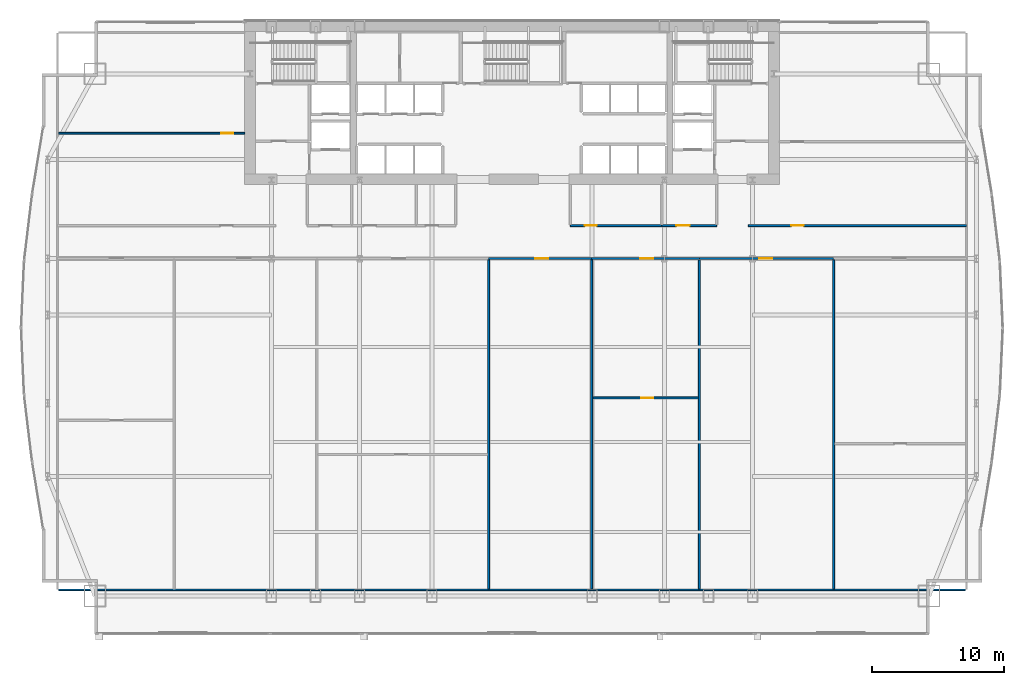
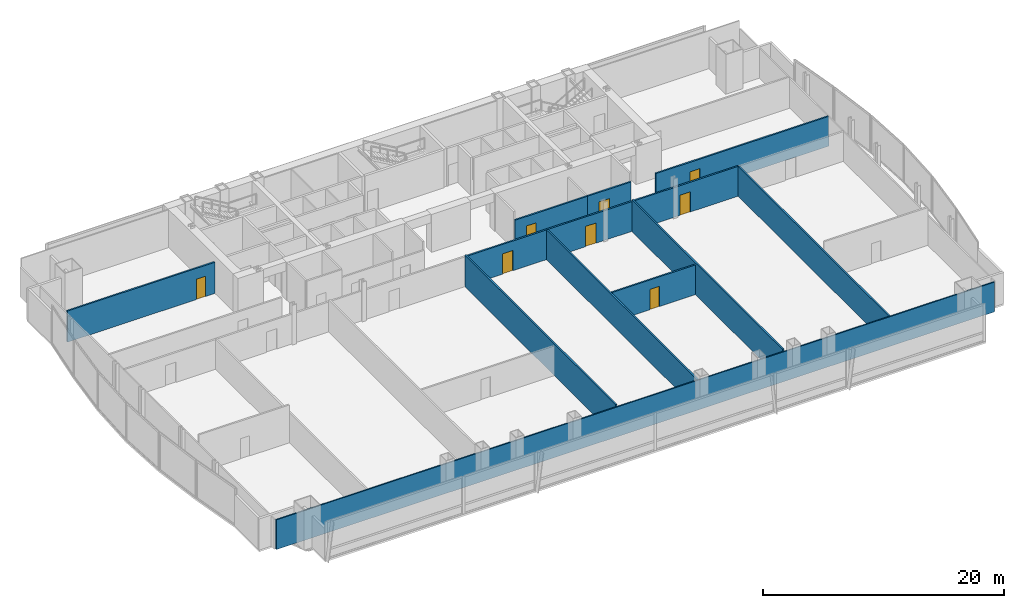
# One storey, part 27 of 32: 13 walls, 8 doors, 8 openings.
"""IFC4 building model written with IfcOpenShell, lengths in metres."""

import ifcopenshell
import ifcopenshell.guid

model = None  # the IFC model being written
_history = None  # IfcOwnerHistory: only IFC2X3 demands one
_inside = {}  # id of a spatial element -> (the spatial element, [elements in it])
_under = {}  # id of a project, library or spatial element -> (it, [spatial elements below it])
_declared = {}  # id of a project -> (the project, [libraries it declares])
_typed = {}  # id of a type object -> (the type object, [elements of that type])
_made_of = {}  # id of a material, layer set ... -> (it, [elements and type objects made of it])


def new_model(schema):
    """Start an empty IFC model of exactly this schema.

    Asked for "IFC4X3", IfcOpenShell would pick the latest addendum, in which some entities
    have other attributes; the version numbers below select the first issue.
    IFC2X3 requires an IfcOwnerHistory on every rooted entity: one is made here for all.
    """
    global model, _history
    if schema == "IFC4X3":
        model = ifcopenshell.file(schema_version=(4, 3, 0, 0))
    else:
        model = ifcopenshell.file(schema=schema)
    _inside.clear()
    _under.clear()
    _declared.clear()
    _typed.clear()
    _made_of.clear()
    _history = None
    if model.schema == "IFC2X3":
        org = make("IfcOrganization", Name="unknown")
        user = make(
            "IfcPersonAndOrganization",
            ThePerson=make("IfcPerson", FamilyName="unknown"),
            TheOrganization=org,
        )
        app = make(
            "IfcApplication",
            ApplicationDeveloper=org,
            Version="unknown",
            ApplicationFullName="unknown",
            ApplicationIdentifier="unknown",
        )
        _history = make(
            "IfcOwnerHistory",
            OwningUser=user,
            OwningApplication=app,
            ChangeAction="ADDED",
            CreationDate=0,
        )
    return model


def make(cls, **values):
    """One entity of the class cls with the attributes given. An attribute that is None is left unset."""
    return model.create_entity(
        cls, **{name: value for name, value in values.items() if value is not None}
    )


def rooted(cls, **values):
    """An entity with a GlobalId (a new one), such as an element, a storey or a relation."""
    return make(cls, GlobalId=ifcopenshell.guid.new(), OwnerHistory=_history, **values)


def si_unit(unit_type, name, prefix=None):
    """IfcSIUnit, for example si_unit("LENGTHUNIT", "METRE", prefix="MILLI")."""
    return make("IfcSIUnit", UnitType=unit_type, Prefix=prefix, Name=name)


def assignment(units):
    """IfcUnitAssignment: the units of a project."""
    return None if units is None else make("IfcUnitAssignment", Units=units)


def point(xyz):
    """IfcCartesianPoint."""
    return None if xyz is None else make("IfcCartesianPoint", Coordinates=xyz)


def direction(xyz):
    """IfcDirection."""
    return None if xyz is None else make("IfcDirection", DirectionRatios=xyz)


def frame(location, z_axis=None, x_axis=None):
    """IfcAxis2Placement3D, a coordinate frame: its origin and axes. An axis left out is left unset."""
    return make(
        "IfcAxis2Placement3D",
        Location=point(location),
        Axis=direction(z_axis),
        RefDirection=direction(x_axis),
    )


def frame_2d(location, x_axis=None):
    """IfcAxis2Placement2D, a coordinate frame in the plane: its origin and x axis."""
    return make(
        "IfcAxis2Placement2D", Location=point(location), RefDirection=direction(x_axis)
    )


def origin():
    """The frame at (0, 0, 0) with its axes left unset."""
    return frame((0.0, 0.0, 0.0))


def place(relative_to, where):
    """IfcLocalPlacement: puts the frame where relative to a parent placement (None: the world)."""
    return make(
        "IfcLocalPlacement", PlacementRelTo=relative_to, RelativePlacement=where
    )


def context(
    kind, dimensions, precision=None, world=None, true_north=None, identifier=None
):
    """IfcGeometricRepresentationContext, for example the 3D "Model" context."""
    return make(
        "IfcGeometricRepresentationContext",
        ContextIdentifier=identifier,
        ContextType=kind,
        CoordinateSpaceDimension=dimensions,
        Precision=precision,
        WorldCoordinateSystem=world,
        TrueNorth=true_north,
    )


def subcontext(parent, identifier, kind, view, scale=None):
    """IfcGeometricRepresentationSubContext, for example "Body" below "Model"."""
    return make(
        "IfcGeometricRepresentationSubContext",
        ContextIdentifier=identifier,
        ContextType=kind,
        ParentContext=parent,
        TargetScale=scale,
        TargetView=view,
    )


def project(units=None, contexts=None):
    """IfcProject with its units and contexts."""
    return rooted(
        "IfcProject",
        Name="project",
        RepresentationContexts=contexts,
        UnitsInContext=assignment(units),
    )


def spatial(cls, under=None, at=None, **own):
    """A site, building, storey or space (cls), placed at a placement, below another one or the project."""
    s = rooted(cls, ObjectPlacement=at, **own)
    if under is not None:
        _under.setdefault(under.id(), (under, []))[1].append(s)
    return s


def profile(cls, at=None, kind="AREA", **sizes):
    """A parametric profile (cls). Its sizes go by their IFC names, for example OverallWidth=200.0."""
    return make(cls, ProfileType=kind, Position=at, **sizes)


def rectangle(**sizes):
    """IfcRectangleProfileDef."""
    return profile("IfcRectangleProfileDef", **sizes)


def extrude(swept, where, along, depth):
    """IfcExtrudedAreaSolid: the profile swept, set in the frame where, extruded along a direction by depth."""
    return make(
        "IfcExtrudedAreaSolid",
        SweptArea=swept,
        Position=where,
        ExtrudedDirection=direction(along),
        Depth=depth,
    )


def shape(context_of_items, identifier, shape_type, items):
    """IfcShapeRepresentation: the items that make up one representation, for example the "Body"."""
    return make(
        "IfcShapeRepresentation",
        ContextOfItems=context_of_items,
        RepresentationIdentifier=identifier,
        RepresentationType=shape_type,
        Items=items,
    )


def material(Name=None, Category=None):
    """IfcMaterial."""
    return make("IfcMaterial", Name=Name, Category=Category)


def layer(
    of_material, thickness, ventilated=None, Name=None, Category=None, Priority=None
):
    """IfcMaterialLayer: one layer of a wall or slab, of a material (None: an air gap)."""
    return make(
        "IfcMaterialLayer",
        Material=of_material,
        LayerThickness=thickness,
        IsVentilated=ventilated,
        Name=Name,
        Category=Category,
        Priority=Priority,
    )


def layer_set(layers, Name=None):
    """IfcMaterialLayerSet."""
    return make("IfcMaterialLayerSet", MaterialLayers=layers, LayerSetName=Name)


def made_of(thing, what):
    """Note that an element or type object is made of a material, layer set ...; save() writes the relation."""
    if what is not None:
        _made_of.setdefault(what.id(), (what, []))[1].append(thing)
    return thing


def type_object(cls, material=None, **own):
    """A type object (cls), such as IfcWallType, which elements share."""
    return made_of(rooted(cls, **own), material)


def element(
    cls,
    number,
    at=None,
    inside=None,
    cuts=None,
    type_object=None,
    material=None,
    context=None,
    identifier="Body",
    shape_type=None,
    held_by="IfcProductDefinitionShape",
    body=None,
    shapes=None,
    **own,
):
    """One element of the class cls, such as IfcWall. Its Tag is "e" and its number.

    at: its placement. inside: the storey or other place that contains it. cuts: it is an
    opening in that element (IfcRelVoidsElement). A single representation is given by context,
    identifier, shape_type and body (its items); several are given by shapes. held_by: the class
    of the entity that holds the representations. save() writes the other relations.
    """
    e = rooted(cls, Tag="e%d" % number, ObjectPlacement=at, **own)
    if body is not None:
        shapes = [shape(context, identifier, shape_type, body)]
    if shapes is not None:
        e.Representation = make(held_by, Representations=shapes)
    if inside is not None:
        _inside.setdefault(inside.id(), (inside, []))[1].append(e)
    if cuts is not None:
        rooted(
            "IfcRelVoidsElement", RelatingBuildingElement=cuts, RelatedOpeningElement=e
        )
    if type_object is not None:
        _typed.setdefault(type_object.id(), (type_object, []))[1].append(e)
    return made_of(e, material)


def fill(opening, filler):
    """IfcRelFillsElement: the door or window that sits in an opening."""
    return rooted(
        "IfcRelFillsElement",
        RelatingOpeningElement=opening,
        RelatedBuildingElement=filler,
    )


def aggregate(whole, parts):
    """IfcRelAggregates: a whole, such as a stair, and the parts it consists of."""
    return rooted("IfcRelAggregates", RelatingObject=whole, RelatedObjects=parts)


def save(model, path):
    """Write the relations noted so far, then the file.

    IfcRelAggregates (storeys below a building ...), IfcRelContainedInSpatialStructure (elements
    in a storey), IfcRelDefinesByType, IfcRelAssociatesMaterial and IfcRelDeclares: one each for
    every whole, place, type object, material and project.
    """
    for whole, parts in _under.values():
        aggregate(whole, parts)
    for where, things in _inside.values():
        rooted(
            "IfcRelContainedInSpatialStructure",
            RelatedElements=things,
            RelatingStructure=where,
        )
    for kind, things in _typed.values():
        rooted("IfcRelDefinesByType", RelatedObjects=things, RelatingType=kind)
    for what, things in _made_of.values():
        rooted("IfcRelAssociatesMaterial", RelatedObjects=things, RelatingMaterial=what)
    for by, libraries in _declared.values():
        rooted("IfcRelDeclares", RelatingContext=by, RelatedDefinitions=libraries)
    model.write(path)


model = new_model("IFC4")

# Units and contexts
model_context = context("Model", 3, precision=1e-05, world=origin(), true_north=direction((0.0, 1.0)))
body_context = subcontext(model_context, "Body", "Model", "MODEL_VIEW")
ifc_project = project(units=[si_unit("LENGTHUNIT", "METRE"), si_unit("AREAUNIT", "SQUARE_METRE"), si_unit("VOLUMEUNIT", "CUBIC_METRE"), si_unit("PLANEANGLEUNIT", "RADIAN"), si_unit("MASSUNIT", "GRAM", prefix="KILO")], contexts=[model_context])

# Site, building, storey
site_placement = place(None, origin())
site = spatial("IfcSite", under=ifc_project, at=site_placement, CompositionType="ELEMENT")
building_placement = place(site_placement, origin())
building = spatial("IfcBuilding", under=site, at=building_placement, Name="Khoronbel Lancet Exchange", CompositionType="ELEMENT")
storey_placement = place(building_placement, frame((0.0, 0.0, 65.800048828125)))
storey = spatial("IfcBuildingStorey", under=building, at=storey_placement, Name="L15", CompositionType="ELEMENT", Elevation=65.800048828125)

# Wall, opening, door
ifc_material_1 = material(Name="Acoustic Metal-Stud & Mineral-Wool Gypsum Partition 120 mm", Category="gypsum")
ifc_layer_1 = layer(ifc_material_1, 0.1201171875, Name="Acoustic Metal-Stud & Mineral-Wool Gypsum Partition 120 mm")
ifc_layer_set_1 = layer_set([ifc_layer_1], Name="Acoustic Metal-Stud & Mineral-Wool Gypsum Partition 120 mm")
wall_type_1 = type_object("IfcWallType", Name="WL-PRT120", PredefinedType="PARTITIONING", material=ifc_layer_set_1)
wall_1_placement = place(storey_placement, frame((2.094970703125, 45.199951171875, 0.0), z_axis=(0.0, 0.0, 1.0), x_axis=(1.0, 0.0, 0.0)))
wall_1 = element("IfcWall", 1, at=wall_1_placement, inside=storey, type_object=wall_type_1, Name="Level L15 interior partition PW-NW-H", PredefinedType="PARTITIONING", context=body_context, shape_type="SweptSolid", body=[
    extrude(rectangle(XDim=14.10498046875, YDim=0.14990234375, at=frame_2d((7.052490234375, 0.0))), origin(), (0.0, 0.0, 1.0), 3.159912109375),
])
opening_1_placement = place(wall_1_placement, frame((12.320068359375, 0.0, 0.0)))
opening_1 = element("IfcOpeningElement", 2, at=opening_1_placement, cuts=wall_1, Name="Opening D5", PredefinedType="OPENING", context=body_context, shape_type="SweptSolid", body=[
    extrude(rectangle(XDim=0.89990234375, YDim=2.050048828125, at=frame_2d((0.449951171875, 1.02490234375))), frame((0.0, 0.0849609375, 0.0), z_axis=(0.0, -1.0, 0.0), x_axis=(1.0, 0.0, 0.0)), (0.0, 0.0, 1.0), 0.169921875),
])
ifc_material_2 = material(Name="Acoustic Timber Pantry & Support Door", Category="wood")
door_type_1 = type_object("IfcDoorType", Name="DR-D5", OperationType="NOTDEFINED", PredefinedType="DOOR", material=ifc_material_2)
door_1_placement = place(opening_1_placement, origin())
door_1 = element("IfcDoor", 3, at=door_1_placement, inside=storey, type_object=door_type_1, Name="NW north room door L15-1", OperationType="SINGLE_SWING_RIGHT", OverallHeight=2.050048828125, OverallWidth=0.89990234375, PredefinedType="DOOR", context=body_context, shape_type="SweptSolid", body=[
    extrude(rectangle(XDim=0.89990234375, YDim=2.050048828125, at=frame_2d((0.449951171875, 1.02490234375))), frame((0.0, 0.02490234375, 0.0), z_axis=(0.0, -1.0, 0.0), x_axis=(1.0, 0.0, 0.0)), (0.0, 0.0, 1.0), 0.050048828125),
])
fill(opening_1, door_1)

wall_2_placement = place(storey_placement, frame((42.570556640625, 25.1484375, 0.0), z_axis=(0.0, 0.0, 1.0), x_axis=(1.0, 0.0, 0.0)))
wall_2 = element("IfcWall", 4, at=wall_2_placement, inside=storey, type_object=wall_type_1, Name="Level L15 interior partition PW-Z1S-H5", PredefinedType="PARTITIONING", context=body_context, shape_type="SweptSolid", body=[
    extrude(rectangle(XDim=8.002685546875, YDim=0.14990234375, at=frame_2d((4.00146484375, 0.0))), origin(), (0.0, 0.0, 1.0), 3.010009765625),
])
opening_2_placement = place(wall_2_placement, frame((3.673095703125, 0.0, 0.0)))
opening_2 = element("IfcOpeningElement", 5, at=opening_2_placement, cuts=wall_2, Name="Opening D5", PredefinedType="OPENING", context=body_context, shape_type="SweptSolid", body=[
    extrude(rectangle(XDim=0.89990234375, YDim=2.050048828125, at=frame_2d((0.449951171875, 1.02490234375))), frame((0.0, 0.0849609375, 0.0), z_axis=(0.0, -1.0, 0.0), x_axis=(1.0, 0.0, 0.0)), (0.0, 0.0, 1.0), 0.169921875),
])
door_2_placement = place(opening_2_placement, origin())
door_2 = element("IfcDoor", 6, at=door_2_placement, inside=storey, type_object=door_type_1, Name="Z1S inner door 5 L15-1", OperationType="SINGLE_SWING_LEFT", OverallHeight=2.050048828125, OverallWidth=0.89990234375, PredefinedType="DOOR", context=body_context, shape_type="SweptSolid", body=[
    extrude(rectangle(XDim=0.89990234375, YDim=2.050048828125, at=frame_2d((0.449951171875, 1.02490234375))), frame((0.0, 0.02490234375, 0.0), z_axis=(0.0, -1.0, 0.0), x_axis=(1.0, 0.0, 0.0)), (0.0, 0.0, 1.0), 0.050048828125),
])
fill(opening_2, door_2)

# Wall
wall_3_placement = place(storey_placement, frame((2.094970703125, 10.60009765625, 0.0), z_axis=(0.0, 0.0, 1.0), x_axis=(1.0, 0.0, 0.0)))
element("IfcWall", 7, at=wall_3_placement, inside=storey, type_object=wall_type_1, Name="Level L15 interior partition PW-LIN-S", PredefinedType="PARTITIONING", context=body_context, shape_type="SweptSolid", body=[
    extrude(rectangle(XDim=68.7099609375, YDim=0.1201171875, at=frame_2d((34.35498046875, 0.0))), origin(), (0.0, 0.0, 1.0), 3.010009765625),
])

# Wall, opening, door
ifc_material_3 = material(Name="Fire-Rated Twin-Stud Acoustic Gypsum Partition 150 mm", Category="gypsum")
ifc_layer_2 = layer(ifc_material_3, 0.14990234375, Name="Fire-Rated Twin-Stud Acoustic Gypsum Partition 150 mm")
ifc_layer_set_2 = layer_set([ifc_layer_2], Name="Fire-Rated Twin-Stud Acoustic Gypsum Partition 150 mm")
wall_type_2 = type_object("IfcWallType", Name="WL-PRT150C", PredefinedType="PARTITIONING", material=ifc_layer_set_2)
wall_4_placement = place(storey_placement, frame((40.8798828125, 38.199951171875, 0.0), z_axis=(0.0, 0.0, 1.0), x_axis=(1.0, 0.0, 0.0)))
wall_4 = element("IfcWall", 8, at=wall_4_placement, inside=storey, type_object=wall_type_2, Name="Level L15 interior partition PW-NP-S1", PredefinedType="PARTITIONING", context=body_context, shape_type="SweptSolid", body=[
    extrude(rectangle(XDim=6.920166015625, YDim=0.14990234375, at=frame_2d((3.4599609375, 0.0))), origin(), (0.0, 0.0, 1.0), 3.010009765625),
])
opening_3_placement = place(wall_4_placement, frame((1.10009765625, 0.0, 0.0)))
opening_3 = element("IfcOpeningElement", 9, at=opening_3_placement, cuts=wall_4, Name="Opening D5", PredefinedType="OPENING", context=body_context, shape_type="SweptSolid", body=[
    extrude(rectangle(XDim=0.89990234375, YDim=2.050048828125, at=frame_2d((0.449951171875, 1.02490234375))), frame((0.0, 0.0849609375, 0.0), z_axis=(0.0, -1.0, 0.0), x_axis=(1.0, 0.0, 0.0)), (0.0, 0.0, 1.0), 0.169921875),
])
door_3_placement = place(opening_3_placement, origin())
door_3 = element("IfcDoor", 10, at=door_3_placement, inside=storey, type_object=door_type_1, Name="Floor refreshment pantry door L15-1", OperationType="SINGLE_SWING_RIGHT", OverallHeight=2.050048828125, OverallWidth=0.89990234375, PredefinedType="DOOR", context=body_context, shape_type="SweptSolid", body=[
    extrude(rectangle(XDim=0.89990234375, YDim=2.050048828125, at=frame_2d((0.449951171875, 1.02490234375))), frame((0.0, 0.02490234375, 0.0), z_axis=(0.0, -1.0, 0.0), x_axis=(1.0, 0.0, 0.0)), (0.0, 0.0, 1.0), 0.050048828125),
])
fill(opening_3, door_3)

wall_5_placement = place(storey_placement, frame((47.800048828125, 38.199951171875, 0.0), z_axis=(0.0, 0.0, 1.0), x_axis=(1.0, 0.0, 0.0)))
wall_5 = element("IfcWall", 11, at=wall_5_placement, inside=storey, type_object=wall_type_2, Name="Level L15 interior partition PW-NP-S2", PredefinedType="PARTITIONING", context=body_context, shape_type="SweptSolid", body=[
    extrude(rectangle(XDim=4.14990234375, YDim=0.14990234375, at=frame_2d((2.074951171875, 0.0))), origin(), (0.0, 0.0, 1.0), 3.010009765625),
])
opening_4_placement = place(wall_5_placement, frame((1.10009765625, 0.0, 0.0)))
opening_4 = element("IfcOpeningElement", 12, at=opening_4_placement, cuts=wall_5, Name="Opening D2", PredefinedType="OPENING", context=body_context, shape_type="SweptSolid", body=[
    extrude(rectangle(XDim=1.0, YDim=2.050048828125, at=frame_2d((0.5, 1.02490234375))), frame((0.0, 0.0849609375, 0.0), z_axis=(0.0, -1.0, 0.0), x_axis=(1.0, 0.0, 0.0)), (0.0, 0.0, 1.0), 0.169921875),
])
ifc_material_4 = material(Name="Acoustic Veneered Timber & Bronze Frame Door", Category="wood")
door_type_2 = type_object("IfcDoorType", Name="DR-D2", OperationType="NOTDEFINED", PredefinedType="DOOR", material=ifc_material_4)
door_4_placement = place(opening_4_placement, origin())
door_4 = element("IfcDoor", 13, at=door_4_placement, inside=storey, type_object=door_type_2, Name="Floor store door L15-1", OperationType="SINGLE_SWING_LEFT", OverallHeight=2.050048828125, OverallWidth=1.0, PredefinedType="DOOR", context=body_context, shape_type="SweptSolid", body=[
    extrude(rectangle(XDim=1.0, YDim=2.050048828125, at=frame_2d((0.5, 1.02490234375))), frame((0.0, 0.02490234375, 0.0), z_axis=(0.0, -1.0, 0.0), x_axis=(1.0, 0.0, 0.0)), (0.0, 0.0, 1.0), 0.050048828125),
])
fill(opening_4, door_4)

wall_6_placement = place(storey_placement, frame((54.35009765625, 38.199951171875, 0.0), z_axis=(0.0, 0.0, 1.0), x_axis=(1.0, 0.0, 0.0)))
wall_6 = element("IfcWall", 14, at=wall_6_placement, inside=storey, type_object=wall_type_2, Name="Level L15 interior partition PW-NE-S", PredefinedType="PARTITIONING", context=body_context, shape_type="SweptSolid", body=[
    extrude(rectangle(XDim=16.52001953125, YDim=0.14990234375, at=frame_2d((8.260009765625, 0.0))), origin(), (0.0, 0.0, 1.0), 3.010009765625),
])
opening_5_placement = place(wall_6_placement, frame((3.25, 0.0, 0.0)))
opening_5 = element("IfcOpeningElement", 15, at=opening_5_placement, cuts=wall_6, Name="Opening D1", PredefinedType="OPENING", context=body_context, shape_type="SweptSolid", body=[
    extrude(rectangle(XDim=0.949951171875, YDim=2.050048828125, at=frame_2d((0.47509765625, 1.02490234375))), frame((0.0, 0.0849609375, 0.0), z_axis=(0.0, -1.0, 0.0), x_axis=(1.0, 0.0, 0.0)), (0.0, 0.0, 1.0), 0.169921875),
])
door_type_3 = type_object("IfcDoorType", Name="DR-D1", OperationType="NOTDEFINED", PredefinedType="DOOR", material=ifc_material_4)
door_5_placement = place(opening_5_placement, origin())
door_5 = element("IfcDoor", 16, at=door_5_placement, inside=storey, type_object=door_type_3, Name="NE corner room door L15-1", OperationType="SINGLE_SWING_LEFT", OverallHeight=2.050048828125, OverallWidth=0.949951171875, PredefinedType="DOOR", context=body_context, shape_type="SweptSolid", body=[
    extrude(rectangle(XDim=0.949951171875, YDim=2.050048828125, at=frame_2d((0.47509765625, 1.02490234375))), frame((0.0, 0.02490234375, 0.0), z_axis=(0.0, -1.0, 0.0), x_axis=(1.0, 0.0, 0.0)), (0.0, 0.0, 1.0), 0.050048828125),
])
fill(opening_5, door_5)

# Walls
wall_7_placement = place(storey_placement, frame((34.680419921875, 10.6650390625, 0.0), z_axis=(0.0, 0.0, 1.0), x_axis=(0.0, 1.0, 0.0)))
element("IfcWall", 17, at=wall_7_placement, inside=storey, type_object=wall_type_2, Name="Level L15 interior partition PW-Z1S-V3", PredefinedType="PARTITIONING", context=body_context, shape_type="SweptSolid", body=[
    extrude(rectangle(XDim=24.949951171875, YDim=0.14990234375, at=frame_2d((12.47509765625, 0.0))), origin(), (0.0, 0.0, 1.0), 3.2099609375),
])
wall_8_placement = place(storey_placement, frame((42.490478515625, 10.6650390625, 0.0), z_axis=(0.0, 0.0, 1.0), x_axis=(0.0, 1.0, 0.0)))
element("IfcWall", 18, at=wall_8_placement, inside=storey, type_object=wall_type_2, Name="Level L15 interior partition PW-Z1S-V4", PredefinedType="PARTITIONING", context=body_context, shape_type="SweptSolid", body=[
    extrude(rectangle(XDim=24.949951171875, YDim=0.14990234375, at=frame_2d((12.47509765625, 0.0))), origin(), (0.0, 0.0, 1.0), 3.010009765625),
])
wall_9_placement = place(storey_placement, frame((50.6533203125, 10.6650390625, 0.0), z_axis=(0.0, 0.0, 1.0), x_axis=(0.0, 1.0, 0.0)))
element("IfcWall", 19, at=wall_9_placement, inside=storey, type_object=wall_type_2, Name="Level L15 interior partition PW-Z1S-V5", PredefinedType="PARTITIONING", context=body_context, shape_type="SweptSolid", body=[
    extrude(rectangle(XDim=24.949951171875, YDim=0.14990234375, at=frame_2d((12.47509765625, 0.0))), origin(), (0.0, 0.0, 1.0), 3.2099609375),
])
wall_10_placement = place(storey_placement, frame((60.822509765625, 10.6650390625, 0.0), z_axis=(0.0, 0.0, 1.0), x_axis=(0.0, 1.0, 0.0)))
element("IfcWall", 20, at=wall_10_placement, inside=storey, type_object=wall_type_2, Name="Level L15 interior partition PW-Z1S-V6", PredefinedType="PARTITIONING", context=body_context, shape_type="SweptSolid", body=[
    extrude(rectangle(XDim=24.949951171875, YDim=0.14990234375, at=frame_2d((12.47509765625, 0.0))), origin(), (0.0, 0.0, 1.0), 3.010009765625),
])

# Wall, opening, door
ifc_material_5 = material(Name="Fire-Rated Twin-Stud Acoustic Gypsum Partition 160 mm", Category="gypsum")
ifc_layer_3 = layer(ifc_material_5, 0.159912109375, Name="Fire-Rated Twin-Stud Acoustic Gypsum Partition 160 mm")
ifc_layer_set_3 = layer_set([ifc_layer_3], Name="Fire-Rated Twin-Stud Acoustic Gypsum Partition 160 mm")
wall_type_3 = type_object("IfcWallType", Name="WL-PRT160C", PredefinedType="PARTITIONING", material=ifc_layer_set_3)
wall_11_placement = place(storey_placement, frame((34.680419921875, 35.699951171875, 0.0), z_axis=(0.0, 0.0, 1.0), x_axis=(1.0, 0.0, 0.0)))
wall_11 = element("IfcWall", 21, at=wall_11_placement, inside=storey, type_object=wall_type_3, Name="Level L15 interior partition PW-Z1S-COR4", PredefinedType="PARTITIONING", context=body_context, shape_type="SweptSolid", body=[
    extrude(rectangle(XDim=7.81005859375, YDim=0.159912109375, at=frame_2d((3.905029296875, 0.0))), origin(), (0.0, 0.0, 1.0), 3.010009765625),
])
opening_6_placement = place(wall_11_placement, frame((3.5302734375, 0.0, 0.0)))
opening_6 = element("IfcOpeningElement", 22, at=opening_6_placement, cuts=wall_11, Name="Opening D2", PredefinedType="OPENING", context=body_context, shape_type="SweptSolid", body=[
    extrude(rectangle(XDim=1.0, YDim=2.050048828125, at=frame_2d((0.5, 1.02490234375))), frame((0.0, 0.08984375, 0.0), z_axis=(0.0, -1.0, 0.0), x_axis=(1.0, 0.0, 0.0)), (0.0, 0.0, 1.0), 0.179931640625),
])
door_6_placement = place(opening_6_placement, origin())
door_6 = element("IfcDoor", 23, at=door_6_placement, inside=storey, type_object=door_type_2, Name="Z1S bay 4 door L15-1", OperationType="SINGLE_SWING_LEFT", OverallHeight=2.050048828125, OverallWidth=1.0, PredefinedType="DOOR", context=body_context, shape_type="SweptSolid", body=[
    extrude(rectangle(XDim=1.0, YDim=2.050048828125, at=frame_2d((0.5, 1.02490234375))), frame((0.0, 0.02490234375, 0.0), z_axis=(0.0, -1.0, 0.0), x_axis=(1.0, 0.0, 0.0)), (0.0, 0.0, 1.0), 0.050048828125),
])
fill(opening_6, door_6)

wall_12_placement = place(storey_placement, frame((42.490478515625, 35.699951171875, 0.0), z_axis=(0.0, 0.0, 1.0), x_axis=(1.0, 0.0, 0.0)))
wall_12 = element("IfcWall", 24, at=wall_12_placement, inside=storey, type_object=wall_type_3, Name="Level L15 interior partition PW-Z1S-COR5", PredefinedType="PARTITIONING", context=body_context, shape_type="SweptSolid", body=[
    extrude(rectangle(XDim=8.162841796875, YDim=0.159912109375, at=frame_2d((4.08154296875, 0.0))), origin(), (0.0, 0.0, 1.0), 3.010009765625),
])
opening_7_placement = place(wall_12_placement, frame((3.67822265625, 0.0, 0.0)))
opening_7 = element("IfcOpeningElement", 25, at=opening_7_placement, cuts=wall_12, Name="Opening D2", PredefinedType="OPENING", context=body_context, shape_type="SweptSolid", body=[
    extrude(rectangle(XDim=1.0, YDim=2.050048828125, at=frame_2d((0.5, 1.02490234375))), frame((0.0, 0.08984375, 0.0), z_axis=(0.0, -1.0, 0.0), x_axis=(1.0, 0.0, 0.0)), (0.0, 0.0, 1.0), 0.179931640625),
])
door_7_placement = place(opening_7_placement, origin())
door_7 = element("IfcDoor", 26, at=door_7_placement, inside=storey, type_object=door_type_2, Name="Z1S bay 5 door L15-1", OperationType="SINGLE_SWING_RIGHT", OverallHeight=2.050048828125, OverallWidth=1.0, PredefinedType="DOOR", context=body_context, shape_type="SweptSolid", body=[
    extrude(rectangle(XDim=1.0, YDim=2.050048828125, at=frame_2d((0.5, 1.02490234375))), frame((0.0, 0.02490234375, 0.0), z_axis=(0.0, -1.0, 0.0), x_axis=(1.0, 0.0, 0.0)), (0.0, 0.0, 1.0), 0.050048828125),
])
fill(opening_7, door_7)

wall_13_placement = place(storey_placement, frame((50.6533203125, 35.699951171875, 0.0), z_axis=(0.0, 0.0, 1.0), x_axis=(1.0, 0.0, 0.0)))
wall_13 = element("IfcWall", 27, at=wall_13_placement, inside=storey, type_object=wall_type_3, Name="Level L15 interior partition PW-Z1S-COR6", PredefinedType="PARTITIONING", context=body_context, shape_type="SweptSolid", body=[
    extrude(rectangle(XDim=10.169189453125, YDim=0.159912109375, at=frame_2d((5.08447265625, 0.0))), origin(), (0.0, 0.0, 1.0), 3.010009765625),
])
opening_8_placement = place(wall_13_placement, frame((4.52099609375, 0.0, 0.0)))
opening_8 = element("IfcOpeningElement", 28, at=opening_8_placement, cuts=wall_13, Name="Opening D2", PredefinedType="OPENING", context=body_context, shape_type="SweptSolid", body=[
    extrude(rectangle(XDim=1.0, YDim=2.050048828125, at=frame_2d((0.5, 1.02490234375))), frame((0.0, 0.08984375, 0.0), z_axis=(0.0, -1.0, 0.0), x_axis=(1.0, 0.0, 0.0)), (0.0, 0.0, 1.0), 0.179931640625),
])
door_8_placement = place(opening_8_placement, origin())
door_8 = element("IfcDoor", 29, at=door_8_placement, inside=storey, type_object=door_type_2, Name="Z1S bay 6 door L15-1", OperationType="SINGLE_SWING_RIGHT", OverallHeight=2.050048828125, OverallWidth=1.0, PredefinedType="DOOR", context=body_context, shape_type="SweptSolid", body=[
    extrude(rectangle(XDim=1.0, YDim=2.050048828125, at=frame_2d((0.5, 1.02490234375))), frame((0.0, 0.02490234375, 0.0), z_axis=(0.0, -1.0, 0.0), x_axis=(1.0, 0.0, 0.0)), (0.0, 0.0, 1.0), 0.050048828125),
])
fill(opening_8, door_8)

save(model, "model.ifc")
